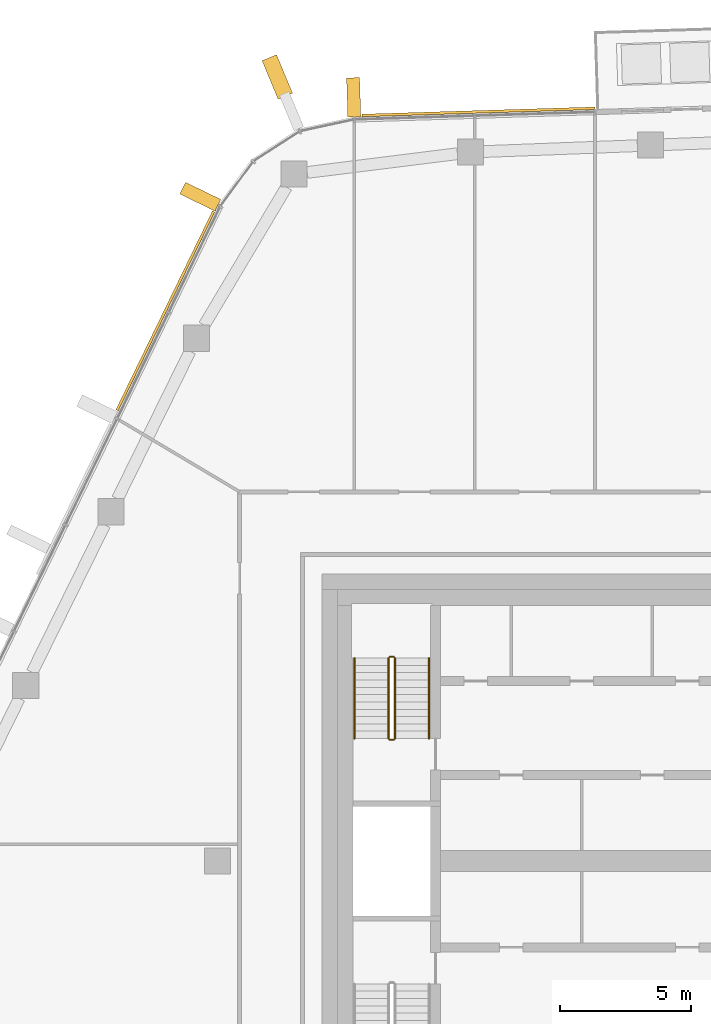
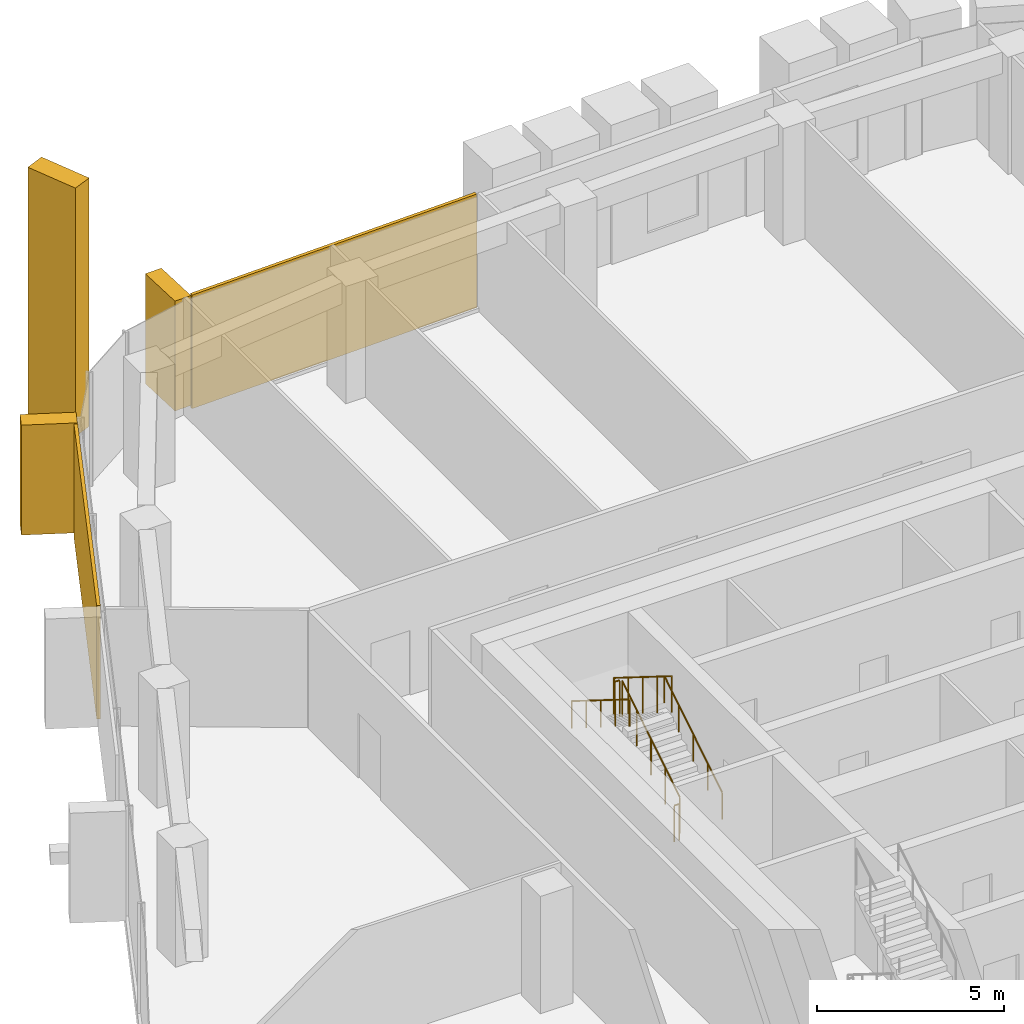
# One storey, part 22 of 24: 6 railings, 5 coverings, 3 elements without a shape of their own.
"""IFC4 building model written with IfcOpenShell, lengths in metres."""

from ifc_helpers import new_model, si_unit, direction, frame, origin, origin_2d, place, context, subcontext, project, spatial, rectangle, circle, extrude, material, layer, layer_set, material_profile, profile_set, type_object, element, aggregate, save


model = new_model("IFC4")

# Units and contexts
model_context = context("Model", 3, precision=1e-05, world=origin(), true_north=direction((0.0, 1.0)))
body_context = subcontext(model_context, "Body", "Model", "MODEL_VIEW")
ifc_project = project(units=[si_unit("LENGTHUNIT", "METRE"), si_unit("AREAUNIT", "SQUARE_METRE"), si_unit("VOLUMEUNIT", "CUBIC_METRE"), si_unit("PLANEANGLEUNIT", "RADIAN"), si_unit("MASSUNIT", "GRAM", prefix="KILO")], contexts=[model_context])

# Site, building, storey
site_placement = place(None, origin())
site = spatial("IfcSite", under=ifc_project, at=site_placement, CompositionType="ELEMENT")
building_placement = place(site_placement, origin())
building = spatial("IfcBuilding", under=site, at=building_placement, Name="Dongbaek Canopy Tower", CompositionType="ELEMENT")
storey_placement = place(building_placement, frame((0.0, 0.0, 344.60009765625)))
storey = spatial("IfcBuildingStorey", under=building, at=storey_placement, Name="L74", CompositionType="ELEMENT", Elevation=344.60009765625)

# Curtain wall, covering
ifc_material_1 = material(Name="Aluminium 6063-T6 pale anodised", Category="aluminium")
ifc_layer_1 = layer(ifc_material_1, 0.199951171875)
ifc_layer_set_1 = layer_set([ifc_layer_1], Name="CW-1 unitised tower curtain wall")
curtain_wall_type = type_object("IfcCurtainWallType", Name="CW-1 unitised tower curtain wall", PredefinedType="NOTDEFINED", material=ifc_layer_set_1)
curtain_wall_1_placement = place(storey_placement, origin())
curtain_wall_1 = element("IfcCurtainWall", 1, at=curtain_wall_1_placement, inside=storey, type_object=curtain_wall_type, Name="CW-1 curtain wall K2.1", PredefinedType="NOTDEFINED")
ifc_material_2 = material(Name="Aluminium 6063-T6 pale metal fin", Category="aluminium")
ifc_material_profile_1 = material_profile(ifc_material_2, rectangle(XDim=1.60009765625, YDim=0.60009765625, at=origin_2d()), Name="Corner fin CN1 600 x 1600 pale metal")
ifc_profile_set_1 = profile_set([ifc_material_profile_1], Name="Aluminium 6063-T6 pale metal fin")
covering_type_1 = type_object("IfcCoveringType", Name="Corner fin CN1 600 x 1600 pale metal", PredefinedType="CLADDING", material=ifc_profile_set_1)
covering_1_placement = place(storey_placement, frame((-15.70849609375, 30.039794921875, -0.190185546875), z_axis=(0.0, 0.0, 1.0), x_axis=(-0.383510478012, 0.923536525133, 0.0)))
covering_1 = element("IfcCovering", 2, at=covering_1_placement, type_object=covering_type_1, Name="Corner fin L74 L75 K2", PredefinedType="CLADDING", context=body_context, shape_type="SweptSolid", body=[
    extrude(rectangle(XDim=1.60009765625, YDim=0.60009765625, at=origin_2d()), origin(), (0.0, 0.0, 1.0), 8.090087890625),
])
aggregate(curtain_wall_1, [covering_1])

curtain_wall_2_placement = place(storey_placement, origin())
curtain_wall_2 = element("IfcCurtainWall", 3, at=curtain_wall_2_placement, inside=storey, type_object=curtain_wall_type, Name="CW-1 curtain wall F1.1", PredefinedType="NOTDEFINED")
ifc_material_3 = material(Name="Perforated aluminium 6063-T6 pale metal screen", Category="aluminium")
ifc_layer_2 = layer(ifc_material_3, 0.10009765625)
ifc_layer_set_2 = layer_set([ifc_layer_2], Name="Facet screen FS1 100 pale metal")
covering_type_2 = type_object("IfcCoveringType", Name="Facet screen FS1 100 pale metal", PredefinedType="CLADDING", material=ifc_layer_set_2)
covering_2_placement = place(storey_placement, frame((-8.00634765625, 28.7041015625, 0.0), z_axis=(0.0, 0.0, 1.0), x_axis=(-0.999519251272, -0.031004295439, 0.0)))
covering_2 = element("IfcCovering", 4, at=covering_2_placement, type_object=covering_type_2, Name="Facet screen L74 F1", PredefinedType="CLADDING", context=body_context, shape_type="SweptSolid", body=[
    extrude(rectangle(XDim=8.934326171875, YDim=0.10009765625, at=origin_2d()), origin(), (0.0, 0.0, 1.0), 3.699951171875),
])

curtain_wall_3_placement = place(storey_placement, origin())
curtain_wall_3 = element("IfcCurtainWall", 5, at=curtain_wall_3_placement, inside=storey, type_object=curtain_wall_type, Name="CW-1 curtain wall F2.1", PredefinedType="NOTDEFINED")
covering_3_placement = place(storey_placement, frame((-20.0009765625, 21.077392578125, 0.0), z_axis=(0.0, 0.0, 1.0), x_axis=(-0.436790798164, -0.899563115429, 0.0)))
covering_3 = element("IfcCovering", 6, at=covering_3_placement, type_object=covering_type_2, Name="Facet screen L74 F2", PredefinedType="CLADDING", context=body_context, shape_type="SweptSolid", body=[
    extrude(rectangle(XDim=8.46484375, YDim=0.10009765625, at=origin_2d()), origin(), (0.0, 0.0, 1.0), 3.699951171875),
])

# Covering
ifc_material_4 = material(Name="Aluminium 6063-T6 pale metal fin", Category="aluminium")
ifc_material_profile_2 = material_profile(ifc_material_4, rectangle(XDim=1.5, YDim=0.5, at=origin_2d()), Name="Fin FN1 500 x 1500 pale metal")
ifc_profile_set_2 = profile_set([ifc_material_profile_2], Name="Aluminium 6063-T6 pale metal fin")
covering_type_3 = type_object("IfcCoveringType", Name="Fin FN1 500 x 1500 pale metal", PredefinedType="CLADDING", material=ifc_profile_set_2)
covering_4_placement = place(storey_placement, frame((-12.782958984375, 29.26025390625, 0.119873046875), z_axis=(0.0, 0.0, 1.0), x_axis=(-0.031003432615, 0.999519278036, 0.0)))
covering_4 = element("IfcCovering", 7, at=covering_4_placement, type_object=covering_type_3, Name="Fin F1.1.3", PredefinedType="CLADDING", context=body_context, shape_type="SweptSolid", body=[
    extrude(rectangle(XDim=1.5, YDim=0.5, at=origin_2d()), origin(), (0.0, 0.0, 1.0), 3.580078125),
])

aggregate(curtain_wall_2, [covering_4, covering_2])

covering_5_placement = place(storey_placement, frame((-18.658935546875, 25.453369140625, 0.119873046875), z_axis=(0.0, 0.0, 1.0), x_axis=(-0.899562865898, 0.436791312067, 0.0)))
covering_5 = element("IfcCovering", 8, at=covering_5_placement, type_object=covering_type_3, Name="Fin F2.1.1", PredefinedType="CLADDING", context=body_context, shape_type="SweptSolid", body=[
    extrude(rectangle(XDim=1.5, YDim=0.5, at=origin_2d()), origin(), (0.0, 0.0, 1.0), 3.580078125),
])

aggregate(curtain_wall_3, [covering_5, covering_3])

# Railings
ifc_material_5 = material(Name="Stainless steel tube and balusters", Category="steel")
railing_type_1 = type_object("IfcRailingType", Name="Stair guard 1200", PredefinedType="GUARDRAIL", material=ifc_material_5)
railing_1_placement = place(storey_placement, frame((-11.199951171875, 4.699951171875, 0.1748046875)))
element("IfcRailing", 9, at=railing_1_placement, inside=storey, type_object=railing_type_1, Name="L74 ST-C stair guard 1", PredefinedType="GUARDRAIL", context=body_context, shape_type="SweptSolid", body=[
    extrude(circle(Radius=0.02392578125, at=origin_2d()), frame((0.0, 0.0, 1.17578125), z_axis=(0.0, 0.847998304005, 0.529998940003), x_axis=(-1.0, 0.0, 0.0)), (0.0, 0.0, 1.0), 3.632080078125),
    extrude(circle(Radius=0.02099609375, at=origin_2d()), origin(), (0.0, 0.0, 1.0), 1.15185546875),
    extrude(circle(Radius=0.02099609375, at=origin_2d()), frame((0.0, 0.77001953125, 0.481201171875)), (0.0, 0.0, 1.0), 1.15185546875),
    extrude(circle(Radius=0.02099609375, at=origin_2d()), frame((0.0, 1.5400390625, 0.96240234375)), (0.0, 0.0, 1.0), 1.15185546875),
    extrude(circle(Radius=0.02099609375, at=origin_2d()), frame((0.0, 2.31005859375, 1.44384765625)), (0.0, 0.0, 1.0), 1.15185546875),
    extrude(circle(Radius=0.02099609375, at=origin_2d()), frame((0.0, 3.080078125, 1.925048828125)), (0.0, 0.0, 1.0), 1.15185546875),
])
railing_2_placement = place(storey_placement, frame((-11.25, 7.830078125, 2.099853515625)))
element("IfcRailing", 10, at=railing_2_placement, inside=storey, type_object=railing_type_1, Name="L74 ST-C stair guard 2", PredefinedType="GUARDRAIL", context=body_context, shape_type="SweptSolid", body=[
    extrude(circle(Radius=0.02392578125, at=origin_2d()), frame((0.0, 0.0, 1.17578125), z_axis=(-1.0, 0.0, 0.0), x_axis=(0.0, -1.0, 0.0)), (0.0, 0.0, 1.0), 0.14990234375),
    extrude(circle(Radius=0.02099609375, at=origin_2d()), origin(), (0.0, 0.0, 1.0), 1.15185546875),
    extrude(circle(Radius=0.02099609375, at=origin_2d()), frame((-0.14990234375, 0.0, 0.0)), (0.0, 0.0, 1.0), 1.15185546875),
])
railing_3_placement = place(storey_placement, frame((-11.449951171875, 7.780029296875, 2.27490234375)))
element("IfcRailing", 11, at=railing_3_placement, inside=storey, type_object=railing_type_1, Name="L74 ST-C stair guard 3", PredefinedType="GUARDRAIL", context=body_context, shape_type="SweptSolid", body=[
    extrude(circle(Radius=0.02392578125, at=origin_2d()), frame((0.0, 0.0, 1.17578125), z_axis=(0.0, -0.847998304005, 0.529998940003), x_axis=(1.0, 0.0, 0.0)), (0.0, 0.0, 1.0), 3.632080078125),
    extrude(circle(Radius=0.02099609375, at=origin_2d()), origin(), (0.0, 0.0, 1.0), 1.15185546875),
    extrude(circle(Radius=0.02099609375, at=origin_2d()), frame((0.0, -0.77001953125, 0.481201171875)), (0.0, 0.0, 1.0), 1.15185546875),
    extrude(circle(Radius=0.02099609375, at=origin_2d()), frame((0.0, -1.5400390625, 0.96240234375)), (0.0, 0.0, 1.0), 1.15185546875),
    extrude(circle(Radius=0.02099609375, at=origin_2d()), frame((0.0, -2.31005859375, 1.44384765625)), (0.0, 0.0, 1.0), 1.15185546875),
    extrude(circle(Radius=0.02099609375, at=origin_2d()), frame((0.0, -3.080078125, 1.925048828125)), (0.0, 0.0, 1.0), 1.15185546875),
])
railing_4_placement = place(storey_placement, frame((-11.25, 4.64990234375, 0.0)))
element("IfcRailing", 12, at=railing_4_placement, inside=storey, type_object=railing_type_1, Name="L74 ST-C stair guard 4", PredefinedType="GUARDRAIL", context=body_context, shape_type="SweptSolid", body=[
    extrude(circle(Radius=0.02392578125, at=origin_2d()), frame((0.0, 0.0, 1.17578125), z_axis=(-1.0, 0.0, 0.0), x_axis=(0.0, -1.0, 0.0)), (0.0, 0.0, 1.0), 0.14990234375),
    extrude(circle(Radius=0.02099609375, at=origin_2d()), origin(), (0.0, 0.0, 1.0), 1.15185546875),
    extrude(circle(Radius=0.02099609375, at=origin_2d()), frame((-0.14990234375, 0.0, 0.0)), (0.0, 0.0, 1.0), 1.15185546875),
])
ifc_material_6 = material(Name="Stainless steel tube", Category="steel")
railing_type_2 = type_object("IfcRailingType", Name="Stair handrail 900", PredefinedType="HANDRAIL", material=ifc_material_6)
railing_5_placement = place(storey_placement, frame((-9.89990234375, 4.699951171875, 0.1748046875)))
element("IfcRailing", 13, at=railing_5_placement, inside=storey, type_object=railing_type_2, Name="L74 ST-C stair handrail 1", PredefinedType="HANDRAIL", context=body_context, shape_type="SweptSolid", body=[
    extrude(circle(Radius=0.02392578125, at=origin_2d()), frame((0.0, 0.0, 0.8759765625), z_axis=(0.0, 0.847998304005, 0.529998940003), x_axis=(-1.0, 0.0, 0.0)), (0.0, 0.0, 1.0), 3.632080078125),
    extrude(circle(Radius=0.02099609375, at=origin_2d()), origin(), (0.0, 0.0, 1.0), 0.851806640625),
    extrude(circle(Radius=0.02099609375, at=origin_2d()), frame((0.0, 0.77001953125, 0.481201171875)), (0.0, 0.0, 1.0), 0.851806640625),
    extrude(circle(Radius=0.02099609375, at=origin_2d()), frame((0.0, 1.5400390625, 0.96240234375)), (0.0, 0.0, 1.0), 0.851806640625),
    extrude(circle(Radius=0.02099609375, at=origin_2d()), frame((0.0, 2.31005859375, 1.44384765625)), (0.0, 0.0, 1.0), 0.851806640625),
    extrude(circle(Radius=0.02099609375, at=origin_2d()), frame((0.0, 3.080078125, 1.925048828125)), (0.0, 0.0, 1.0), 0.851806640625),
])
railing_6_placement = place(storey_placement, frame((-12.75, 7.780029296875, 2.27490234375)))
element("IfcRailing", 14, at=railing_6_placement, inside=storey, type_object=railing_type_2, Name="L74 ST-C stair handrail 2", PredefinedType="HANDRAIL", context=body_context, shape_type="SweptSolid", body=[
    extrude(circle(Radius=0.02392578125, at=origin_2d()), frame((0.0, 0.0, 0.8759765625), z_axis=(0.0, -0.847998304005, 0.529998940003), x_axis=(1.0, 0.0, 0.0)), (0.0, 0.0, 1.0), 3.632080078125),
    extrude(circle(Radius=0.02099609375, at=origin_2d()), origin(), (0.0, 0.0, 1.0), 0.851806640625),
    extrude(circle(Radius=0.02099609375, at=origin_2d()), frame((0.0, -0.77001953125, 0.481201171875)), (0.0, 0.0, 1.0), 0.851806640625),
    extrude(circle(Radius=0.02099609375, at=origin_2d()), frame((0.0, -1.5400390625, 0.96240234375)), (0.0, 0.0, 1.0), 0.851806640625),
    extrude(circle(Radius=0.02099609375, at=origin_2d()), frame((0.0, -2.31005859375, 1.44384765625)), (0.0, 0.0, 1.0), 0.851806640625),
    extrude(circle(Radius=0.02099609375, at=origin_2d()), frame((0.0, -3.080078125, 1.925048828125)), (0.0, 0.0, 1.0), 0.851806640625),
])

save(model, "model.ifc")
